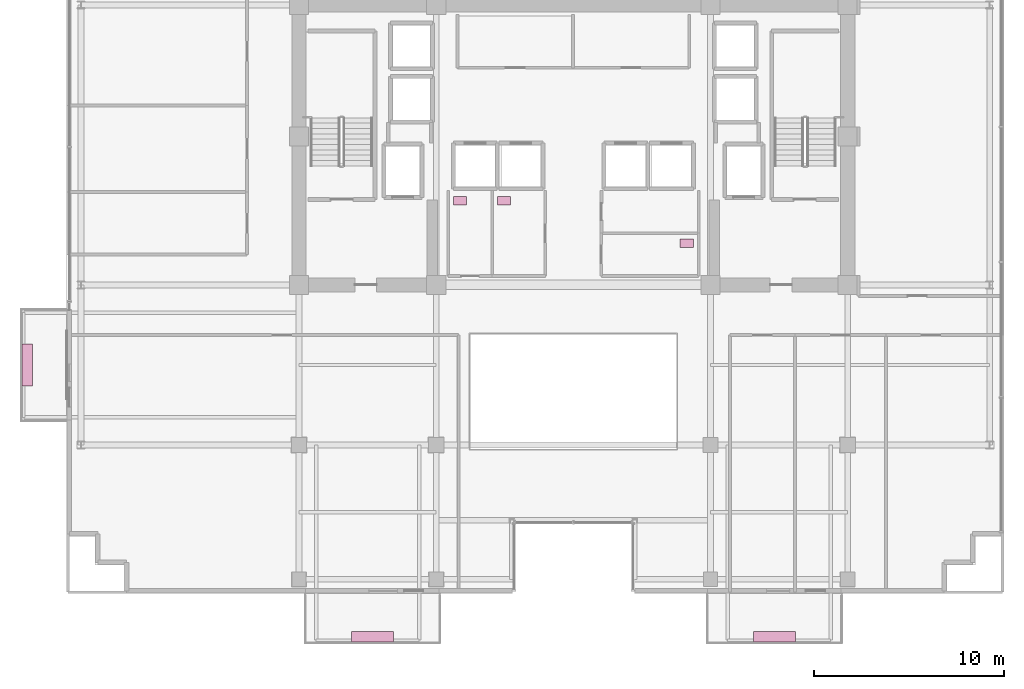
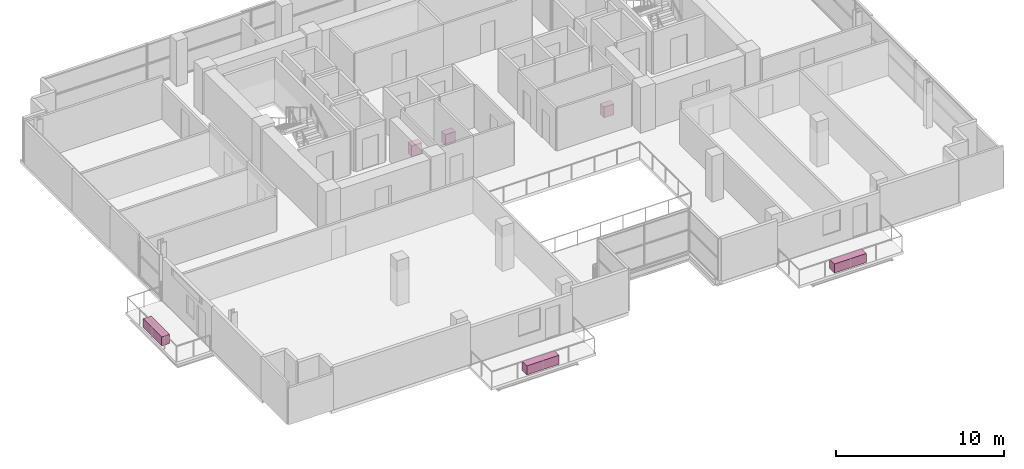
# One storey, part 21 of 21: 6 furnishings.
"""IFC4 building model written with IfcOpenShell, lengths in metres."""

from ifc_helpers import new_model, si_unit, direction, frame, origin, origin_2d, place, context, subcontext, project, spatial, rectangle, extrude, source, transform, mapped, material, type_object, element, save


model = new_model("IFC4")

# Units and contexts
model_context = context("Model", 3, precision=1e-05, world=origin(), true_north=direction((0.0, 1.0)))
body_context = subcontext(model_context, "Body", "Model", "MODEL_VIEW")
ifc_project = project(units=[si_unit("LENGTHUNIT", "METRE"), si_unit("AREAUNIT", "SQUARE_METRE"), si_unit("VOLUMEUNIT", "CUBIC_METRE"), si_unit("PLANEANGLEUNIT", "RADIAN"), si_unit("MASSUNIT", "GRAM", prefix="KILO")], contexts=[model_context])

# Site, building, storey
site_placement = place(None, origin())
site = spatial("IfcSite", under=ifc_project, at=site_placement, CompositionType="ELEMENT")
building_placement = place(site_placement, origin())
building = spatial("IfcBuilding", under=site, at=building_placement, Name="Zarnakvel Exchange Tower", CompositionType="ELEMENT")
storey_placement = place(building_placement, frame((0.0, 0.0, 159.39990234375)))
storey = spatial("IfcBuildingStorey", under=building, at=storey_placement, Name="L44", CompositionType="ELEMENT", Elevation=159.39990234375)

# Furnishings
ifc_material_1 = material(Name="Architectural Bronze Anodised Aluminium", Category="aluminium")
furnishing_element_type_1 = type_object("IfcFurnishingElementType", Name="PLNT-01", material=ifc_material_1)
shared_shape_1 = source(origin(), body_context, "Body", "SweptSolid", [
    extrude(rectangle(XDim=2.199951171875, YDim=0.550048828125, at=origin_2d()), origin(), (0.0, 0.0, 1.0), 0.64990234375),
])
for number, where, z_axis, x_axis, name in (
    (1, (-10.550048828125, -19.669921875, -0.034912109375), (0.0, 0.0, 1.0), (1.0, 0.0, 0.0), "L44 Balcony Greenery Planter BAL-L44-SW"),
    (2, (10.550048828125, -19.669921875, -0.034912109375), (0.0, 0.0, 1.0), (1.0, 0.0, 0.0), "L44 Balcony Greenery Planter BAL-L44-SE"),
    (3, (-28.669921875, -5.39990234375, -0.034912109375), (0.0, 0.0, 1.0), (0.0, 1.0, 0.0), "L44 Balcony Greenery Planter BAL-L44-W"),
):
    element("IfcFurnishingElement", number, at=place(storey_placement, frame(where, z_axis=z_axis, x_axis=x_axis)), inside=storey, type_object=furnishing_element_type_1, Name=name, ObjectType="PLANTER", context=body_context, shape_type="MappedRepresentation", body=[
        mapped(shared_shape_1, transform((0.0, 0.0, 0.0), x_axis=(1.0, 0.0, 0.0), y_axis=(0.0, 1.0, 0.0), z_axis=(0.0, 0.0, 1.0), scale=1.0)),
    ])
ifc_material_2 = material(Name="Vitreous China Sanitaryware", Category="ceramic")
furnishing_element_type_2 = type_object("IfcFurnishingElementType", Name="SAN-WC", material=ifc_material_2)
shared_shape_2 = source(origin(), body_context, "Body", "SweptSolid", [
    extrude(rectangle(XDim=0.699951171875, YDim=0.449951171875, at=origin_2d()), origin(), (0.0, 0.0, 1.0), 0.780029296875),
])
for number, where, z_axis, x_axis, name in (
    (4, (-5.949951171875, 3.22998046875, 0.0), (0.0, 0.0, 1.0), (1.0, 0.0, 0.0), "L44 Sanitary Fixture (Female Toilet)"),
    (5, (-3.639892578125, 3.22998046875, 0.0), (0.0, 0.0, 1.0), (1.0, 0.0, 0.0), "L44 Sanitary Fixture (Male Toilet)"),
    (6, (5.949951171875, 0.989990234375, 0.0), (0.0, 0.0, 1.0), (1.0, 0.0, 0.0), "L44 Sanitary Fixture (Accessible Toilet)"),
):
    element("IfcFurnishingElement", number, at=place(storey_placement, frame(where, z_axis=z_axis, x_axis=x_axis)), inside=storey, type_object=furnishing_element_type_2, Name=name, ObjectType="SANITARY_FIXTURE", context=body_context, shape_type="MappedRepresentation", body=[
        mapped(shared_shape_2, transform((0.0, 0.0, 0.0), x_axis=(1.0, 0.0, 0.0), y_axis=(0.0, 1.0, 0.0), z_axis=(0.0, 0.0, 1.0), scale=1.0)),
    ])

save(model, "model.ifc")
